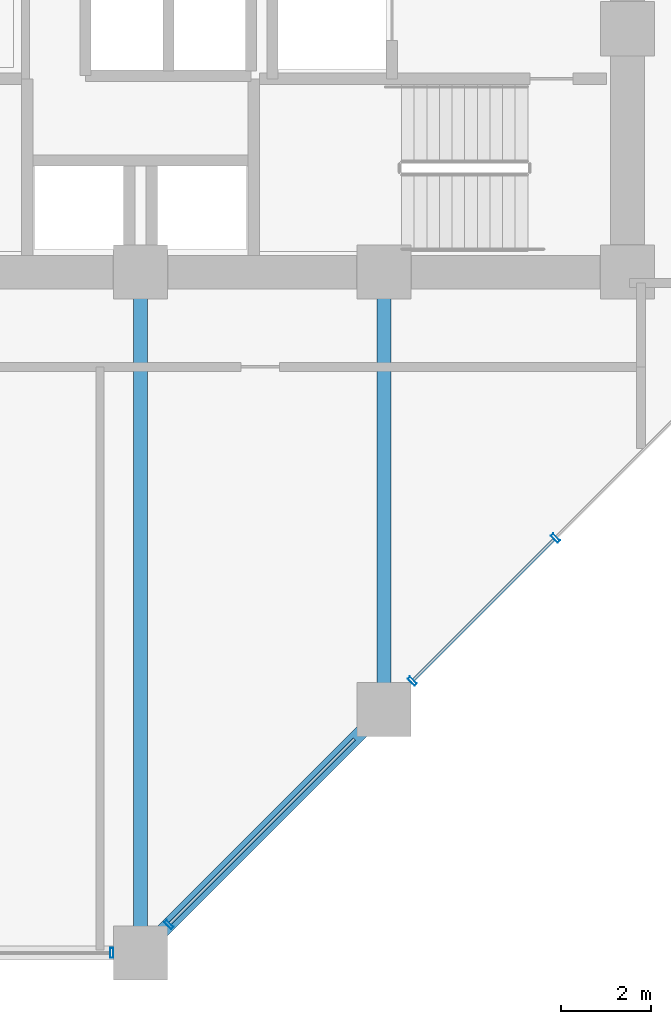
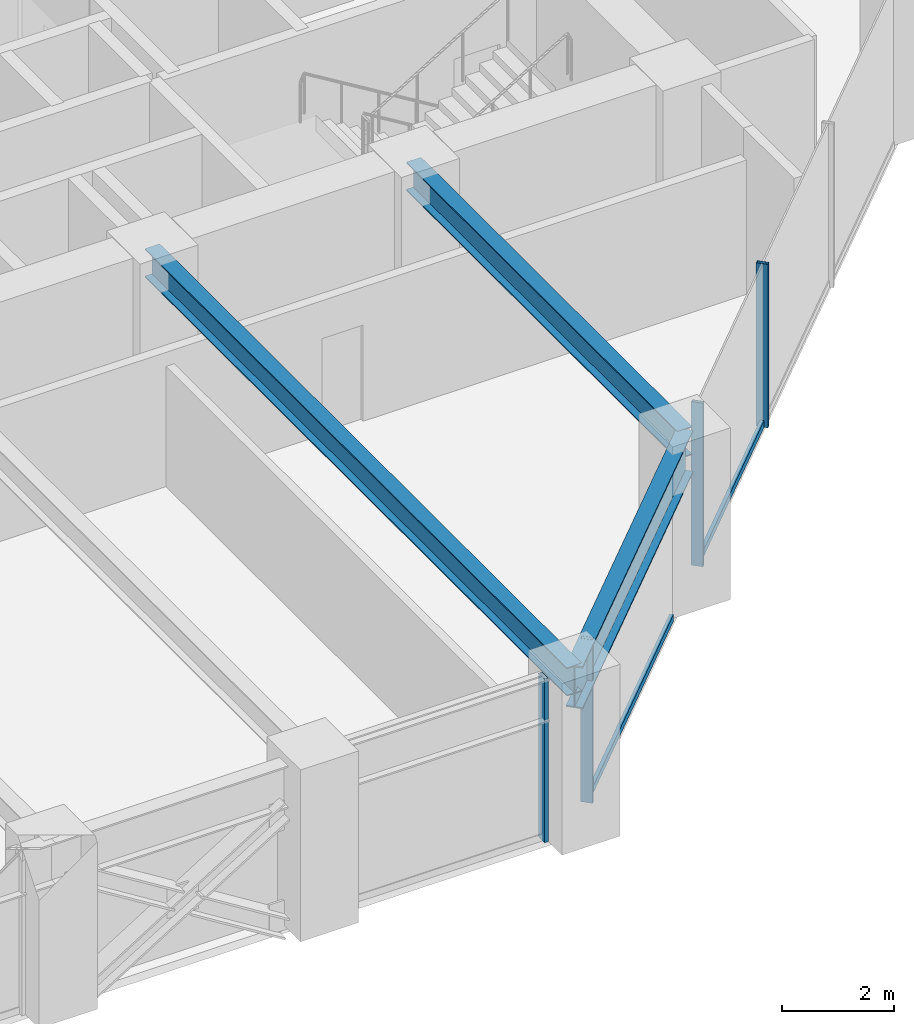
# One storey, part 7 of 26: 6 members, 3 beams, 2 elements without a shape of their own.
"""IFC4 building model written with IfcOpenShell, lengths in metres."""

from ifc_helpers import new_model, si_unit, direction, frame, origin, origin_2d, place, context, subcontext, project, spatial, hollow_rectangle, i_section, extrude, material, layer, layer_set, material_profile, profile_set, type_object, element, aggregate, save


model = new_model("IFC4")

# Units and contexts
model_context = context("Model", 3, precision=1e-05, world=origin(), true_north=direction((0.0, 1.0)))
body_context = subcontext(model_context, "Body", "Model", "MODEL_VIEW")
ifc_project = project(units=[si_unit("LENGTHUNIT", "METRE"), si_unit("AREAUNIT", "SQUARE_METRE"), si_unit("VOLUMEUNIT", "CUBIC_METRE"), si_unit("PLANEANGLEUNIT", "RADIAN"), si_unit("MASSUNIT", "GRAM", prefix="KILO")], contexts=[model_context])

# Site, building, storey
site_placement = place(None, origin())
site = spatial("IfcSite", under=ifc_project, at=site_placement, CompositionType="ELEMENT")
building_placement = place(site_placement, origin())
building = spatial("IfcBuilding", under=site, at=building_placement, Name="Surkhivell Harbour Commons", CompositionType="ELEMENT")
storey_placement = place(building_placement, frame((0.0, 0.0, 60.0)))
storey = spatial("IfcBuildingStorey", under=building, at=storey_placement, Name="L15", CompositionType="ELEMENT", Elevation=60.0)

# Beams
ifc_material_1 = material(Name="Steel S355", Category="steel")
ifc_material_profile_1 = material_profile(ifc_material_1, i_section(OverallWidth=0.306884765625, OverallDepth=0.6201171875, WebThickness=0.01416015625, FlangeThickness=0.023681640625, at=origin_2d()), Name="UB610x305x179")
ifc_profile_set_1 = profile_set([ifc_material_profile_1], Name="Steel S355")
beam_type_1 = type_object("IfcBeamType", Name="BM-GRD-610A", PredefinedType="BEAM", material=ifc_profile_set_1)
beam_1_placement = place(storey_placement, frame((0.0, -25.89990234375, 3.260009765625), z_axis=(0.0, 1.0, 0.0), x_axis=(-1.0, 0.0, 0.0)))
element("IfcBeam", 1, at=beam_1_placement, inside=storey, type_object=beam_type_1, Name="L15 Floor Girder (0.0,-25.9)", PredefinedType="BEAM", context=body_context, shape_type="SweptSolid", body=[
    extrude(i_section(OverallWidth=0.306884765625, OverallDepth=0.6201171875, WebThickness=0.01416015625, FlangeThickness=0.023681640625, at=origin_2d()), origin(), (0.0, 0.0, 1.0), 15.099853515625),
])
beam_2_placement = place(storey_placement, frame((5.39990234375, -20.5, 3.260009765625), z_axis=(0.0, 1.0, 0.0), x_axis=(-1.0, 0.0, 0.0)))
element("IfcBeam", 2, at=beam_2_placement, inside=storey, type_object=beam_type_1, Name="L15 Floor Girder (5.4,-20.5)", PredefinedType="BEAM", context=body_context, shape_type="SweptSolid", body=[
    extrude(i_section(OverallWidth=0.306884765625, OverallDepth=0.6201171875, WebThickness=0.01416015625, FlangeThickness=0.023681640625, at=origin_2d()), origin(), (0.0, 0.0, 1.0), 9.699951171875),
])
ifc_material_2 = material(Name="Steel S460", Category="steel")
ifc_material_profile_2 = material_profile(ifc_material_2, i_section(OverallWidth=0.30810546875, OverallDepth=0.927001953125, WebThickness=0.01953125, FlangeThickness=0.031982421875, at=origin_2d()), Name="UB914x305x289")
ifc_profile_set_2 = profile_set([ifc_material_profile_2], Name="Steel S460")
beam_type_2 = type_object("IfcBeamType", Name="BM-SPN-914B", PredefinedType="SPANDREL", material=ifc_profile_set_2)
beam_3_placement = place(storey_placement, frame((0.0, -25.89990234375, 3.1064453125), z_axis=(0.707106781187, 0.707106781187, 0.0), x_axis=(-0.707106781187, 0.707106781187, 0.0)))
element("IfcBeam", 3, at=beam_3_placement, inside=storey, type_object=beam_type_2, Name="L15 Tube Spandrel (-0.0,-25.9)", PredefinedType="SPANDREL", context=body_context, shape_type="SweptSolid", body=[
    extrude(i_section(OverallWidth=0.30810546875, OverallDepth=0.927001953125, WebThickness=0.01953125, FlangeThickness=0.031982421875, at=origin_2d()), origin(), (0.0, 0.0, 1.0), 7.63671875),
])

# Curtain wall, member
ifc_material_3 = material(Name="Anodised pale-metal aluminium and insulated glazing", Category="aluminium")
ifc_layer = layer(ifc_material_3, 0.219970703125)
ifc_layer_set = layer_set([ifc_layer], Name="Anodised pale-metal aluminium and insulated glazing")
curtain_wall_type = type_object("IfcCurtainWallType", Name="CW-SYS-Z1", PredefinedType="NOTDEFINED", material=ifc_layer_set)
curtain_wall_1_placement = place(storey_placement, origin())
curtain_wall_1 = element("IfcCurtainWall", 4, at=curtain_wall_1_placement, inside=storey, type_object=curtain_wall_type, Name="L15 Curtain Wall CW-L15-E00S2", PredefinedType="NOTDEFINED")
ifc_material_4 = material(Name="Anodised pale-metal aluminium alloy 6063-T6", Category="aluminium")
ifc_material_profile_3 = material_profile(ifc_material_4, hollow_rectangle(XDim=0.074951171875, YDim=0.219970703125, WallThickness=0.00390625, at=origin_2d()), Name="ALU-MULL-75x220")
ifc_profile_set_3 = profile_set([ifc_material_profile_3], Name="Anodised pale-metal aluminium alloy 6063-T6")
member_type_1 = type_object("IfcMemberType", Name="CWM-220", PredefinedType="MULLION", material=ifc_profile_set_3)
member_1_placement = place(storey_placement, frame((-0.639404296875, -25.89990234375, 0.0), z_axis=(0.0, 0.0, 1.0), x_axis=(1.0, 0.0, 0.0)))
member_1 = element("IfcMember", 5, at=member_1_placement, type_object=member_type_1, Name="CW-Z1 mullion 2", PredefinedType="MULLION", context=body_context, shape_type="SweptSolid", body=[
    extrude(hollow_rectangle(XDim=0.074951171875, YDim=0.219970703125, WallThickness=0.00390625, at=origin_2d()), origin(), (0.0, 0.0, 1.0), 3.570068359375),
])
aggregate(curtain_wall_1, [member_1])

# Curtain wall, members
curtain_wall_2_placement = place(storey_placement, origin())
curtain_wall_2 = element("IfcCurtainWall", 6, at=curtain_wall_2_placement, inside=storey, type_object=curtain_wall_type, Name="L15 Curtain Wall CW-L15-E01", PredefinedType="NOTDEFINED")
member_2_placement = place(storey_placement, frame((0.628173828125, -25.271728515625, 0.0), z_axis=(0.0, 0.0, 1.0), x_axis=(0.707106781187, 0.707106781187, 0.0)))
member_2 = element("IfcMember", 7, at=member_2_placement, type_object=member_type_1, Name="CW-Z1 mullion 1", PredefinedType="MULLION", context=body_context, shape_type="SweptSolid", body=[
    extrude(hollow_rectangle(XDim=0.074951171875, YDim=0.219970703125, WallThickness=0.00390625, at=origin_2d()), origin(), (0.0, 0.0, 1.0), 3.570068359375),
])
member_3_placement = place(storey_placement, frame((6.0283203125, -19.871826171875, 0.0), z_axis=(0.0, 0.0, 1.0), x_axis=(0.707106781187, 0.707106781187, 0.0)))
member_3 = element("IfcMember", 8, at=member_3_placement, type_object=member_type_1, Name="CW-Z1 mullion 2", PredefinedType="MULLION", context=body_context, shape_type="SweptSolid", body=[
    extrude(hollow_rectangle(XDim=0.074951171875, YDim=0.219970703125, WallThickness=0.00390625, at=origin_2d()), origin(), (0.0, 0.0, 1.0), 3.570068359375),
])
member_4_placement = place(storey_placement, frame((9.20068359375, -16.699462890625, 0.0), z_axis=(0.0, 0.0, 1.0), x_axis=(0.707106781187, 0.707106781187, 0.0)))
member_4 = element("IfcMember", 9, at=member_4_placement, type_object=member_type_1, Name="CW-Z1 mullion 3", PredefinedType="MULLION", context=body_context, shape_type="SweptSolid", body=[
    extrude(hollow_rectangle(XDim=0.074951171875, YDim=0.219970703125, WallThickness=0.00390625, at=origin_2d()), origin(), (0.0, 0.0, 1.0), 3.570068359375),
])
ifc_material_profile_4 = material_profile(ifc_material_4, hollow_rectangle(XDim=0.074951171875, YDim=0.14990234375, WallThickness=0.00341796875, at=origin_2d()), Name="ALU-TRAN-75x150")
ifc_profile_set_4 = profile_set([ifc_material_profile_4], Name="Anodised pale-metal aluminium alloy 6063-T6")
member_type_2 = type_object("IfcMemberType", Name="CWT-150", PredefinedType="USERDEFINED", material=ifc_profile_set_4)
member_5_placement = place(storey_placement, frame((0.65478515625, -25.2451171875, 0.074951171875), z_axis=(0.707106781187, 0.707106781187, 0.0), x_axis=(-0.707106781187, 0.707106781187, 0.0)))
member_5 = element("IfcMember", 10, at=member_5_placement, type_object=member_type_2, Name="CW-Z1 transom 1.1", ObjectType="TRANSOM", PredefinedType="USERDEFINED", context=body_context, shape_type="SweptSolid", body=[
    extrude(hollow_rectangle(XDim=0.074951171875, YDim=0.14990234375, WallThickness=0.00341796875, at=origin_2d()), origin(), (0.0, 0.0, 1.0), 5.78466796875),
])
member_6_placement = place(storey_placement, frame((6.0546875, -19.84521484375, 0.074951171875), z_axis=(0.707106781187, 0.707106781187, 0.0), x_axis=(-0.707106781187, 0.707106781187, 0.0)))
member_6 = element("IfcMember", 11, at=member_6_placement, type_object=member_type_2, Name="CW-Z1 transom 2.1", ObjectType="TRANSOM", PredefinedType="USERDEFINED", context=body_context, shape_type="SweptSolid", body=[
    extrude(hollow_rectangle(XDim=0.074951171875, YDim=0.14990234375, WallThickness=0.00341796875, at=origin_2d()), origin(), (0.0, 0.0, 1.0), 4.411376953125),
])
aggregate(curtain_wall_2, [member_2, member_5, member_3, member_4, member_6])

save(model, "model.ifc")
